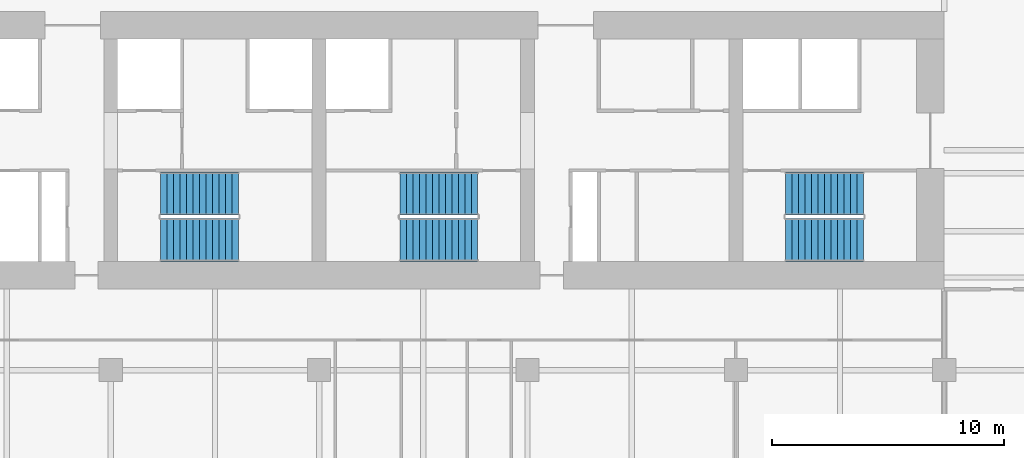
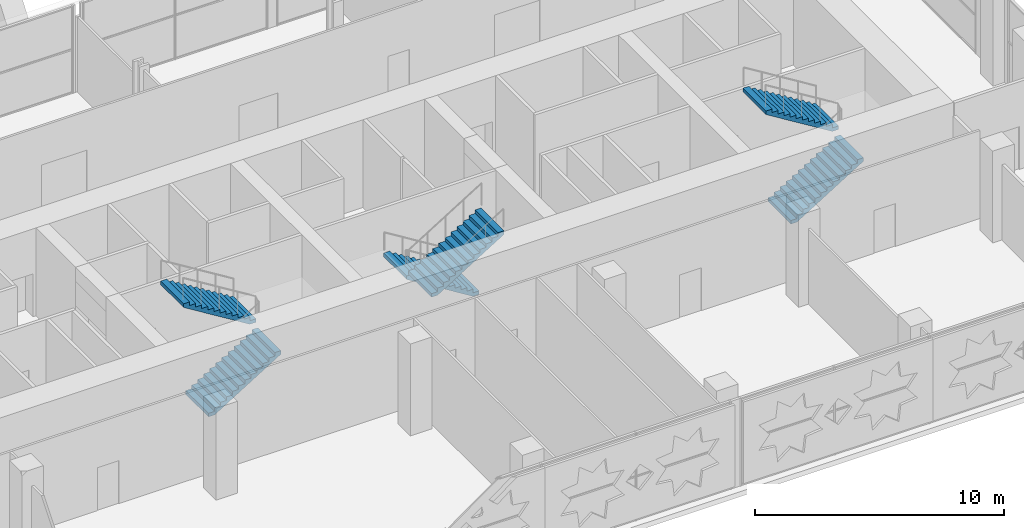
# One storey, part 19 of 24: 6 stair flights, 3 elements without a shape of their own.
"""IFC4 building model written with IfcOpenShell, lengths in metres."""

import ifcopenshell
import ifcopenshell.guid

model = None  # the IFC model being written
_history = None  # IfcOwnerHistory: only IFC2X3 demands one
_inside = {}  # id of a spatial element -> (the spatial element, [elements in it])
_under = {}  # id of a project, library or spatial element -> (it, [spatial elements below it])
_declared = {}  # id of a project -> (the project, [libraries it declares])
_typed = {}  # id of a type object -> (the type object, [elements of that type])
_made_of = {}  # id of a material, layer set ... -> (it, [elements and type objects made of it])


def new_model(schema):
    """Start an empty IFC model of exactly this schema.

    Asked for "IFC4X3", IfcOpenShell would pick the latest addendum, in which some entities
    have other attributes; the version numbers below select the first issue.
    IFC2X3 requires an IfcOwnerHistory on every rooted entity: one is made here for all.
    """
    global model, _history
    if schema == "IFC4X3":
        model = ifcopenshell.file(schema_version=(4, 3, 0, 0))
    else:
        model = ifcopenshell.file(schema=schema)
    _inside.clear()
    _under.clear()
    _declared.clear()
    _typed.clear()
    _made_of.clear()
    _history = None
    if model.schema == "IFC2X3":
        org = make("IfcOrganization", Name="unknown")
        user = make(
            "IfcPersonAndOrganization",
            ThePerson=make("IfcPerson", FamilyName="unknown"),
            TheOrganization=org,
        )
        app = make(
            "IfcApplication",
            ApplicationDeveloper=org,
            Version="unknown",
            ApplicationFullName="unknown",
            ApplicationIdentifier="unknown",
        )
        _history = make(
            "IfcOwnerHistory",
            OwningUser=user,
            OwningApplication=app,
            ChangeAction="ADDED",
            CreationDate=0,
        )
    return model


def make(cls, **values):
    """One entity of the class cls with the attributes given. An attribute that is None is left unset."""
    return model.create_entity(
        cls, **{name: value for name, value in values.items() if value is not None}
    )


def rooted(cls, **values):
    """An entity with a GlobalId (a new one), such as an element, a storey or a relation."""
    return make(cls, GlobalId=ifcopenshell.guid.new(), OwnerHistory=_history, **values)


def si_unit(unit_type, name, prefix=None):
    """IfcSIUnit, for example si_unit("LENGTHUNIT", "METRE", prefix="MILLI")."""
    return make("IfcSIUnit", UnitType=unit_type, Prefix=prefix, Name=name)


def assignment(units):
    """IfcUnitAssignment: the units of a project."""
    return None if units is None else make("IfcUnitAssignment", Units=units)


def point(xyz):
    """IfcCartesianPoint."""
    return None if xyz is None else make("IfcCartesianPoint", Coordinates=xyz)


def direction(xyz):
    """IfcDirection."""
    return None if xyz is None else make("IfcDirection", DirectionRatios=xyz)


def frame(location, z_axis=None, x_axis=None):
    """IfcAxis2Placement3D, a coordinate frame: its origin and axes. An axis left out is left unset."""
    return make(
        "IfcAxis2Placement3D",
        Location=point(location),
        Axis=direction(z_axis),
        RefDirection=direction(x_axis),
    )


def origin():
    """The frame at (0, 0, 0) with its axes left unset."""
    return frame((0.0, 0.0, 0.0))


def place(relative_to, where):
    """IfcLocalPlacement: puts the frame where relative to a parent placement (None: the world)."""
    return make(
        "IfcLocalPlacement", PlacementRelTo=relative_to, RelativePlacement=where
    )


def context(
    kind, dimensions, precision=None, world=None, true_north=None, identifier=None
):
    """IfcGeometricRepresentationContext, for example the 3D "Model" context."""
    return make(
        "IfcGeometricRepresentationContext",
        ContextIdentifier=identifier,
        ContextType=kind,
        CoordinateSpaceDimension=dimensions,
        Precision=precision,
        WorldCoordinateSystem=world,
        TrueNorth=true_north,
    )


def subcontext(parent, identifier, kind, view, scale=None):
    """IfcGeometricRepresentationSubContext, for example "Body" below "Model"."""
    return make(
        "IfcGeometricRepresentationSubContext",
        ContextIdentifier=identifier,
        ContextType=kind,
        ParentContext=parent,
        TargetScale=scale,
        TargetView=view,
    )


def project(units=None, contexts=None):
    """IfcProject with its units and contexts."""
    return rooted(
        "IfcProject",
        Name="project",
        RepresentationContexts=contexts,
        UnitsInContext=assignment(units),
    )


def spatial(cls, under=None, at=None, **own):
    """A site, building, storey or space (cls), placed at a placement, below another one or the project."""
    s = rooted(cls, ObjectPlacement=at, **own)
    if under is not None:
        _under.setdefault(under.id(), (under, []))[1].append(s)
    return s


def polyline(points):
    """IfcPolyline through the points."""
    return make("IfcPolyline", Points=[point(p) for p in points])


def outline(outer, holes=None, kind="AREA"):
    """IfcArbitraryClosedProfileDef: a profile drawn as a closed curve; with holes, ...WithVoids."""
    if holes is None:
        return make("IfcArbitraryClosedProfileDef", ProfileType=kind, OuterCurve=outer)
    return make(
        "IfcArbitraryProfileDefWithVoids",
        ProfileType=kind,
        OuterCurve=outer,
        InnerCurves=holes,
    )


def extrude(swept, where, along, depth):
    """IfcExtrudedAreaSolid: the profile swept, set in the frame where, extruded along a direction by depth."""
    return make(
        "IfcExtrudedAreaSolid",
        SweptArea=swept,
        Position=where,
        ExtrudedDirection=direction(along),
        Depth=depth,
    )


def shape(context_of_items, identifier, shape_type, items):
    """IfcShapeRepresentation: the items that make up one representation, for example the "Body"."""
    return make(
        "IfcShapeRepresentation",
        ContextOfItems=context_of_items,
        RepresentationIdentifier=identifier,
        RepresentationType=shape_type,
        Items=items,
    )


def material(Name=None, Category=None):
    """IfcMaterial."""
    return make("IfcMaterial", Name=Name, Category=Category)


def made_of(thing, what):
    """Note that an element or type object is made of a material, layer set ...; save() writes the relation."""
    if what is not None:
        _made_of.setdefault(what.id(), (what, []))[1].append(thing)
    return thing


def type_object(cls, material=None, **own):
    """A type object (cls), such as IfcWallType, which elements share."""
    return made_of(rooted(cls, **own), material)


def element(
    cls,
    number,
    at=None,
    inside=None,
    cuts=None,
    type_object=None,
    material=None,
    context=None,
    identifier="Body",
    shape_type=None,
    held_by="IfcProductDefinitionShape",
    body=None,
    shapes=None,
    **own,
):
    """One element of the class cls, such as IfcWall. Its Tag is "e" and its number.

    at: its placement. inside: the storey or other place that contains it. cuts: it is an
    opening in that element (IfcRelVoidsElement). A single representation is given by context,
    identifier, shape_type and body (its items); several are given by shapes. held_by: the class
    of the entity that holds the representations. save() writes the other relations.
    """
    e = rooted(cls, Tag="e%d" % number, ObjectPlacement=at, **own)
    if body is not None:
        shapes = [shape(context, identifier, shape_type, body)]
    if shapes is not None:
        e.Representation = make(held_by, Representations=shapes)
    if inside is not None:
        _inside.setdefault(inside.id(), (inside, []))[1].append(e)
    if cuts is not None:
        rooted(
            "IfcRelVoidsElement", RelatingBuildingElement=cuts, RelatedOpeningElement=e
        )
    if type_object is not None:
        _typed.setdefault(type_object.id(), (type_object, []))[1].append(e)
    return made_of(e, material)


def aggregate(whole, parts):
    """IfcRelAggregates: a whole, such as a stair, and the parts it consists of."""
    return rooted("IfcRelAggregates", RelatingObject=whole, RelatedObjects=parts)


def save(model, path):
    """Write the relations noted so far, then the file.

    IfcRelAggregates (storeys below a building ...), IfcRelContainedInSpatialStructure (elements
    in a storey), IfcRelDefinesByType, IfcRelAssociatesMaterial and IfcRelDeclares: one each for
    every whole, place, type object, material and project.
    """
    for whole, parts in _under.values():
        aggregate(whole, parts)
    for where, things in _inside.values():
        rooted(
            "IfcRelContainedInSpatialStructure",
            RelatedElements=things,
            RelatingStructure=where,
        )
    for kind, things in _typed.values():
        rooted("IfcRelDefinesByType", RelatedObjects=things, RelatingType=kind)
    for what, things in _made_of.values():
        rooted("IfcRelAssociatesMaterial", RelatedObjects=things, RelatingMaterial=what)
    for by, libraries in _declared.values():
        rooted("IfcRelDeclares", RelatingContext=by, RelatedDefinitions=libraries)
    model.write(path)


model = new_model("IFC4")

# Units and contexts
model_context = context("Model", 3, precision=1e-05, world=origin(), true_north=direction((0.0, 1.0)))
body_context = subcontext(model_context, "Body", "Model", "MODEL_VIEW")
ifc_project = project(units=[si_unit("LENGTHUNIT", "METRE"), si_unit("AREAUNIT", "SQUARE_METRE"), si_unit("VOLUMEUNIT", "CUBIC_METRE"), si_unit("PLANEANGLEUNIT", "RADIAN"), si_unit("MASSUNIT", "GRAM", prefix="KILO")], contexts=[model_context])

# Site, building, storey
site_placement = place(None, origin())
site = spatial("IfcSite", under=ifc_project, at=site_placement, CompositionType="ELEMENT")
building_placement = place(site_placement, origin())
building = spatial("IfcBuilding", under=site, at=building_placement, Name="Zellij Exchange Tower", CompositionType="ELEMENT")
storey_placement = place(building_placement, frame((0.0, 0.0, 48.0)))
storey = spatial("IfcBuildingStorey", under=building, at=storey_placement, Name="L08", CompositionType="ELEMENT", Elevation=48.0)

# Stair, stair flights
ifc_material = material(Name="Concrete C40/50", Category="concrete")
stair_type = type_object("IfcStairType", Name="CORE-ST exit stair 1850 wide", PredefinedType="HALF_TURN_STAIR", material=ifc_material)
stair_1_placement = place(storey_placement, origin())
stair_1 = element("IfcStair", 1, at=stair_1_placement, inside=storey, type_object=stair_type, Name="L08 exit stair ST2", PredefinedType="HALF_TURN_STAIR")
stair_flight_type = type_object("IfcStairFlightType", Name="CORE-SF flight 1850 riser 173.1 going 280", PredefinedType="STRAIGHT", material=ifc_material)
stair_flight_1_placement = place(storey_placement, frame((-6.85009765625, -11.875, 0.0), z_axis=(0.0, 0.0, 1.0), x_axis=(1.0, 0.0, 0.0)))
stair_flight_1 = element("IfcStairFlight", 2, at=stair_flight_1_placement, type_object=stair_flight_type, Name="ST2 flight 1", NumberOfRisers=13, NumberOfTreads=12, PredefinedType="STRAIGHT", RiserHeight=0.173076923, TreadLength=0.28, context=body_context, shape_type="SweptSolid", body=[
    extrude(outline(polyline([(0.0, 0.0), (0.0, 0.173095703125), (0.280029296875, 0.173095703125), (0.280029296875, 0.34619140625), (0.56005859375, 0.34619140625), (0.56005859375, 0.519287109375), (0.840087890625, 0.519287109375), (0.840087890625, 0.6923828125), (1.1201171875, 0.6923828125), (1.1201171875, 0.865478515625), (1.39990234375, 0.865478515625), (1.39990234375, 1.03857421875), (1.679931640625, 1.03857421875), (1.679931640625, 1.21142578125), (1.9599609375, 1.21142578125), (1.9599609375, 1.384521484375), (2.239990234375, 1.384521484375), (2.239990234375, 1.5576171875), (2.52001953125, 1.5576171875), (2.52001953125, 1.730712890625), (2.800048828125, 1.730712890625), (2.800048828125, 1.90380859375), (3.080078125, 1.90380859375), (3.080078125, 2.076904296875), (3.360107421875, 2.076904296875), (3.360107421875, 2.25), (3.360107421875, 1.900634765625), (0.28515625, 0.0), (0.0, 0.0)])), frame((0.0, 0.925048828125, 0.0), z_axis=(0.0, -1.0, 0.0), x_axis=(1.0, 0.0, 0.0)), (0.0, 0.0, 1.0), 1.85009765625),
])
stair_flight_2_placement = place(storey_placement, frame((-3.489990234375, -9.875, 2.25), z_axis=(0.0, 0.0, 1.0), x_axis=(-1.0, 0.0, 0.0)))
stair_flight_2 = element("IfcStairFlight", 3, at=stair_flight_2_placement, type_object=stair_flight_type, Name="ST2 flight 2", NumberOfRisers=13, NumberOfTreads=12, PredefinedType="STRAIGHT", RiserHeight=0.173076923, TreadLength=0.28, context=body_context, shape_type="SweptSolid", body=[
    extrude(outline(polyline([(0.0, 0.0), (0.0, 0.173095703125), (0.280029296875, 0.173095703125), (0.280029296875, 0.34619140625), (0.56005859375, 0.34619140625), (0.56005859375, 0.519287109375), (0.840087890625, 0.519287109375), (0.840087890625, 0.6923828125), (1.1201171875, 0.6923828125), (1.1201171875, 0.865478515625), (1.39990234375, 0.865478515625), (1.39990234375, 1.03857421875), (1.679931640625, 1.03857421875), (1.679931640625, 1.21142578125), (1.9599609375, 1.21142578125), (1.9599609375, 1.384521484375), (2.239990234375, 1.384521484375), (2.239990234375, 1.5576171875), (2.52001953125, 1.5576171875), (2.52001953125, 1.730712890625), (2.800048828125, 1.730712890625), (2.800048828125, 1.90380859375), (3.080078125, 1.90380859375), (3.080078125, 2.076904296875), (3.360107421875, 2.076904296875), (3.360107421875, 2.25), (3.360107421875, 1.900634765625), (0.28515625, 0.0), (0.0, 0.0)])), frame((0.0, 0.925048828125, 0.0), z_axis=(0.0, -1.0, 0.0), x_axis=(1.0, 0.0, 0.0)), (0.0, 0.0, 1.0), 1.85009765625),
])
aggregate(stair_1, [stair_flight_1, stair_flight_2])

stair_2_placement = place(storey_placement, origin())
stair_2 = element("IfcStair", 4, at=stair_2_placement, inside=storey, type_object=stair_type, Name="L08 exit stair ST3", PredefinedType="HALF_TURN_STAIR")
stair_flight_3_placement = place(storey_placement, frame((6.85009765625, -9.875, 0.0), z_axis=(0.0, 0.0, 1.0), x_axis=(-1.0, 0.0, 0.0)))
stair_flight_3 = element("IfcStairFlight", 5, at=stair_flight_3_placement, type_object=stair_flight_type, Name="ST3 flight 1", NumberOfRisers=13, NumberOfTreads=12, PredefinedType="STRAIGHT", RiserHeight=0.173076923, TreadLength=0.28, context=body_context, shape_type="SweptSolid", body=[
    extrude(outline(polyline([(0.0, 0.0), (0.0, 0.173095703125), (0.280029296875, 0.173095703125), (0.280029296875, 0.34619140625), (0.56005859375, 0.34619140625), (0.56005859375, 0.519287109375), (0.840087890625, 0.519287109375), (0.840087890625, 0.6923828125), (1.1201171875, 0.6923828125), (1.1201171875, 0.865478515625), (1.39990234375, 0.865478515625), (1.39990234375, 1.03857421875), (1.679931640625, 1.03857421875), (1.679931640625, 1.21142578125), (1.9599609375, 1.21142578125), (1.9599609375, 1.384521484375), (2.239990234375, 1.384521484375), (2.239990234375, 1.5576171875), (2.52001953125, 1.5576171875), (2.52001953125, 1.730712890625), (2.800048828125, 1.730712890625), (2.800048828125, 1.90380859375), (3.080078125, 1.90380859375), (3.080078125, 2.076904296875), (3.360107421875, 2.076904296875), (3.360107421875, 2.25), (3.360107421875, 1.900634765625), (0.28515625, 0.0), (0.0, 0.0)])), frame((0.0, 0.925048828125, 0.0), z_axis=(0.0, -1.0, 0.0), x_axis=(1.0, 0.0, 0.0)), (0.0, 0.0, 1.0), 1.85009765625),
])
stair_flight_4_placement = place(storey_placement, frame((3.489990234375, -11.875, 2.25), z_axis=(0.0, 0.0, 1.0), x_axis=(1.0, 0.0, 0.0)))
stair_flight_4 = element("IfcStairFlight", 6, at=stair_flight_4_placement, type_object=stair_flight_type, Name="ST3 flight 2", NumberOfRisers=13, NumberOfTreads=12, PredefinedType="STRAIGHT", RiserHeight=0.173076923, TreadLength=0.28, context=body_context, shape_type="SweptSolid", body=[
    extrude(outline(polyline([(0.0, 0.0), (0.0, 0.173095703125), (0.280029296875, 0.173095703125), (0.280029296875, 0.34619140625), (0.56005859375, 0.34619140625), (0.56005859375, 0.519287109375), (0.840087890625, 0.519287109375), (0.840087890625, 0.6923828125), (1.1201171875, 0.6923828125), (1.1201171875, 0.865478515625), (1.39990234375, 0.865478515625), (1.39990234375, 1.03857421875), (1.679931640625, 1.03857421875), (1.679931640625, 1.21142578125), (1.9599609375, 1.21142578125), (1.9599609375, 1.384521484375), (2.239990234375, 1.384521484375), (2.239990234375, 1.5576171875), (2.52001953125, 1.5576171875), (2.52001953125, 1.730712890625), (2.800048828125, 1.730712890625), (2.800048828125, 1.90380859375), (3.080078125, 1.90380859375), (3.080078125, 2.076904296875), (3.360107421875, 2.076904296875), (3.360107421875, 2.25), (3.360107421875, 1.900634765625), (0.28515625, 0.0), (0.0, 0.0)])), frame((0.0, 0.925048828125, 0.0), z_axis=(0.0, -1.0, 0.0), x_axis=(1.0, 0.0, 0.0)), (0.0, 0.0, 1.0), 1.85009765625),
])
aggregate(stair_2, [stair_flight_3, stair_flight_4])

stair_3_placement = place(storey_placement, origin())
stair_3 = element("IfcStair", 7, at=stair_3_placement, inside=storey, type_object=stair_type, Name="L08 exit stair ST4", PredefinedType="HALF_TURN_STAIR")
stair_flight_5_placement = place(storey_placement, frame((20.14990234375, -11.875, 0.0), z_axis=(0.0, 0.0, 1.0), x_axis=(1.0, 0.0, 0.0)))
stair_flight_5 = element("IfcStairFlight", 8, at=stair_flight_5_placement, type_object=stair_flight_type, Name="ST4 flight 1", NumberOfRisers=13, NumberOfTreads=12, PredefinedType="STRAIGHT", RiserHeight=0.173076923, TreadLength=0.28, context=body_context, shape_type="SweptSolid", body=[
    extrude(outline(polyline([(0.0, 0.0), (0.0, 0.173095703125), (0.280029296875, 0.173095703125), (0.280029296875, 0.34619140625), (0.56005859375, 0.34619140625), (0.56005859375, 0.519287109375), (0.840087890625, 0.519287109375), (0.840087890625, 0.6923828125), (1.1201171875, 0.6923828125), (1.1201171875, 0.865478515625), (1.39990234375, 0.865478515625), (1.39990234375, 1.03857421875), (1.679931640625, 1.03857421875), (1.679931640625, 1.21142578125), (1.9599609375, 1.21142578125), (1.9599609375, 1.384521484375), (2.239990234375, 1.384521484375), (2.239990234375, 1.5576171875), (2.52001953125, 1.5576171875), (2.52001953125, 1.730712890625), (2.800048828125, 1.730712890625), (2.800048828125, 1.90380859375), (3.080078125, 1.90380859375), (3.080078125, 2.076904296875), (3.360107421875, 2.076904296875), (3.360107421875, 2.25), (3.360107421875, 1.900634765625), (0.28515625, 0.0), (0.0, 0.0)])), frame((0.0, 0.925048828125, 0.0), z_axis=(0.0, -1.0, 0.0), x_axis=(1.0, 0.0, 0.0)), (0.0, 0.0, 1.0), 1.85009765625),
])
stair_flight_6_placement = place(storey_placement, frame((23.510009765625, -9.875, 2.25), z_axis=(0.0, 0.0, 1.0), x_axis=(-1.0, 0.0, 0.0)))
stair_flight_6 = element("IfcStairFlight", 9, at=stair_flight_6_placement, type_object=stair_flight_type, Name="ST4 flight 2", NumberOfRisers=13, NumberOfTreads=12, PredefinedType="STRAIGHT", RiserHeight=0.173076923, TreadLength=0.28, context=body_context, shape_type="SweptSolid", body=[
    extrude(outline(polyline([(0.0, 0.0), (0.0, 0.173095703125), (0.280029296875, 0.173095703125), (0.280029296875, 0.34619140625), (0.56005859375, 0.34619140625), (0.56005859375, 0.519287109375), (0.840087890625, 0.519287109375), (0.840087890625, 0.6923828125), (1.1201171875, 0.6923828125), (1.1201171875, 0.865478515625), (1.39990234375, 0.865478515625), (1.39990234375, 1.03857421875), (1.679931640625, 1.03857421875), (1.679931640625, 1.21142578125), (1.9599609375, 1.21142578125), (1.9599609375, 1.384521484375), (2.239990234375, 1.384521484375), (2.239990234375, 1.5576171875), (2.52001953125, 1.5576171875), (2.52001953125, 1.730712890625), (2.800048828125, 1.730712890625), (2.800048828125, 1.90380859375), (3.080078125, 1.90380859375), (3.080078125, 2.076904296875), (3.360107421875, 2.076904296875), (3.360107421875, 2.25), (3.360107421875, 1.900634765625), (0.28515625, 0.0), (0.0, 0.0)])), frame((0.0, 0.925048828125, 0.0), z_axis=(0.0, -1.0, 0.0), x_axis=(1.0, 0.0, 0.0)), (0.0, 0.0, 1.0), 1.85009765625),
])
aggregate(stair_3, [stair_flight_5, stair_flight_6])

save(model, "model.ifc")
